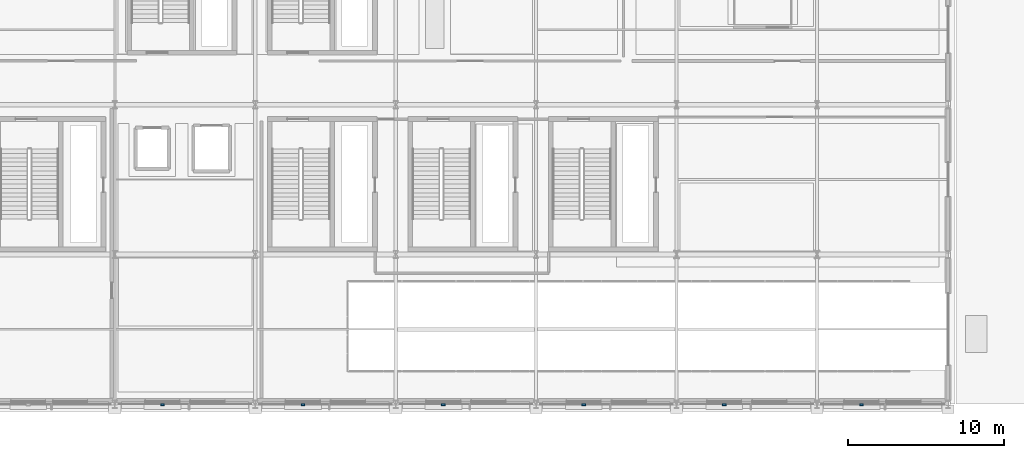
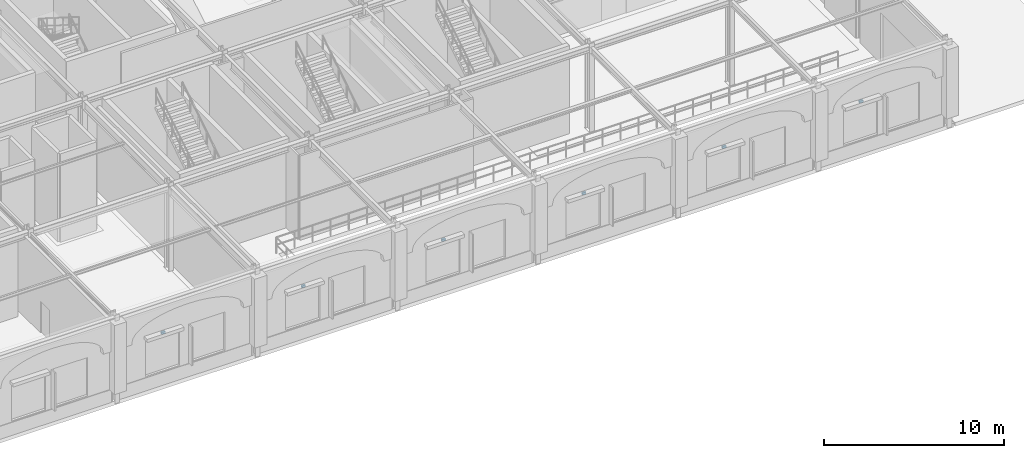
# One storey, part 75 of 113: 6 discrete accessories.
"""IFC4 building model written with IfcOpenShell, lengths in metres."""

from ifc_helpers import new_model, si_unit, direction, frame, origin, origin_2d, place, context, subcontext, project, spatial, rectangle, extrude, material, type_object, element, save


model = new_model("IFC4")

# Units and contexts
model_context = context("Model", 3, precision=1e-05, world=origin(), true_north=direction((0.0, 1.0)))
body_context = subcontext(model_context, "Body", "Model", "MODEL_VIEW")
ifc_project = project(units=[si_unit("LENGTHUNIT", "METRE"), si_unit("AREAUNIT", "SQUARE_METRE"), si_unit("VOLUMEUNIT", "CUBIC_METRE"), si_unit("PLANEANGLEUNIT", "RADIAN"), si_unit("MASSUNIT", "GRAM", prefix="KILO")], contexts=[model_context])

# Site, building, storey
site_placement = place(None, origin())
site = spatial("IfcSite", under=ifc_project, at=site_placement, CompositionType="ELEMENT")
building_placement = place(site_placement, origin())
building = spatial("IfcBuilding", under=site, at=building_placement, Name="Myrtia Square Station", CompositionType="ELEMENT")
storey_placement = place(building_placement, origin())
storey = spatial("IfcBuildingStorey", under=building, at=storey_placement, Name="L00", CompositionType="ELEMENT", Elevation=0.0)

# Discrete accessories
ifc_material = material(Name="Steel S355", Category="steel")
discrete_accessory_type = type_object("IfcDiscreteAccessoryType", Name="ACC-BRACKET-BRONZE", PredefinedType="BRACKET", material=ifc_material)
for number, where, z_axis, x_axis, name in (
    (1, (129.052001953125, -0.030029296875, 3.5302734375), (0.0, 0.0, 1.0), (1.0, 0.0, 0.0), "Solar shading fixing bracket 006"),
    (2, (138.052001953125, -0.030029296875, 3.5302734375), (0.0, 0.0, 1.0), (1.0, 0.0, 0.0), "Solar shading fixing bracket 007"),
    (3, (147.052001953125, -0.030029296875, 3.5302734375), (0.0, 0.0, 1.0), (1.0, 0.0, 0.0), "Solar shading fixing bracket 008"),
    (4, (156.052001953125, -0.030029296875, 3.5302734375), (0.0, 0.0, 1.0), (1.0, 0.0, 0.0), "Solar shading fixing bracket 009"),
    (5, (165.052001953125, -0.030029296875, 3.5302734375), (0.0, 0.0, 1.0), (1.0, 0.0, 0.0), "Solar shading fixing bracket 010"),
    (6, (173.85205078125, -0.030029296875, 3.5302734375), (0.0, 0.0, 1.0), (1.0, 0.0, 0.0), "Solar shading fixing bracket 011"),
):
    element("IfcDiscreteAccessory", number, at=place(storey_placement, frame(where, z_axis=z_axis, x_axis=x_axis)), inside=storey, type_object=discrete_accessory_type, Name=name, PredefinedType="BRACKET", context=body_context, shape_type="SweptSolid", body=[
        extrude(rectangle(XDim=0.239990234375, YDim=0.1201171875, at=origin_2d()), origin(), (0.0, 0.0, 1.0), 0.139892578125),
    ])

save(model, "model.ifc")
